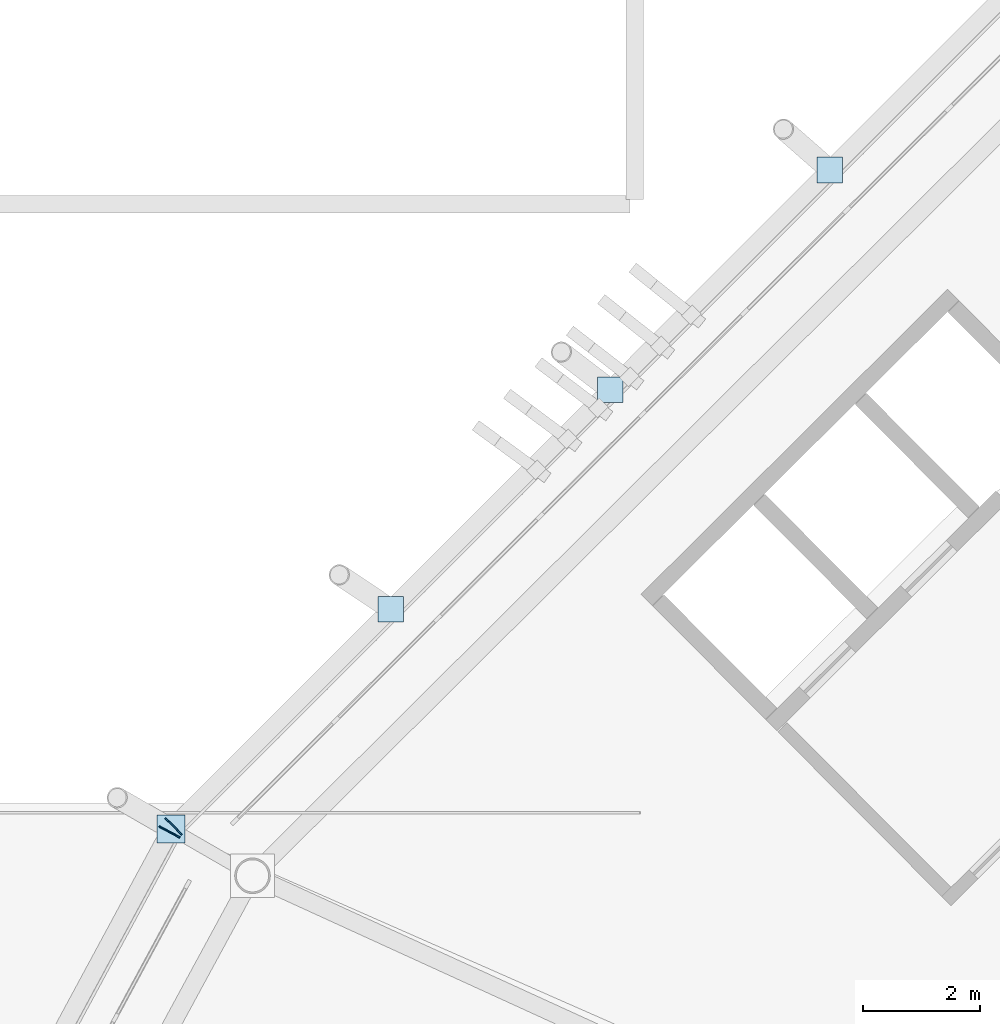
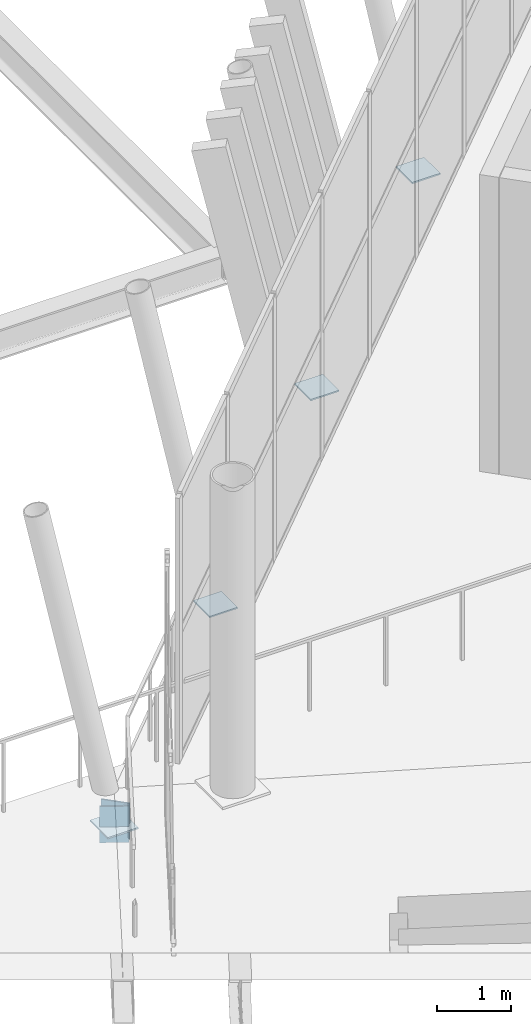
# One storey, part 108 of 178: 6 plates.
"""IFC4 building model written with IfcOpenShell, lengths in metres."""

from ifc_helpers import new_model, si_unit, direction, frame, origin, origin_2d, place, context, subcontext, project, spatial, rectangle, extrude, material, layer, layer_set, type_object, element, save


model = new_model("IFC4")

# Units and contexts
model_context = context("Model", 3, precision=1e-05, world=origin(), true_north=direction((0.0, 1.0)))
body_context = subcontext(model_context, "Body", "Model", "MODEL_VIEW")
ifc_project = project(units=[si_unit("LENGTHUNIT", "METRE"), si_unit("AREAUNIT", "SQUARE_METRE"), si_unit("VOLUMEUNIT", "CUBIC_METRE"), si_unit("PLANEANGLEUNIT", "RADIAN"), si_unit("MASSUNIT", "GRAM", prefix="KILO")], contexts=[model_context])

# Site, building, storey
site_placement = place(None, origin())
site = spatial("IfcSite", under=ifc_project, at=site_placement, CompositionType="ELEMENT")
building_placement = place(site_placement, origin())
building = spatial("IfcBuilding", under=site, at=building_placement, Name="Zlatoyarsky Gate Stadium", CompositionType="ELEMENT")
storey_placement = place(building_placement, frame((0.0, 0.0, 5.39990234375)))
storey = spatial("IfcBuildingStorey", under=building, at=storey_placement, Name="L01", CompositionType="ELEMENT", Elevation=5.39990234375)

# Plates
ifc_material = material(Name="Steel S355", Category="steel")
ifc_layer = layer(ifc_material, 0.02392578125)
ifc_layer_set = layer_set([ifc_layer], Name="Steel S355")
plate_type = type_object("IfcPlateType", Name="STEEL HOLLOW CHORD SPLICE SHEET 24", PredefinedType="SHEET", material=ifc_layer_set)
for number, where, z_axis, x_axis, name in (
    (1, (29.10888671875, 116.3466796875, -0.849853515625), (0.0, 0.0, 1.0), (-0.707043292995, -0.707170263678, 0.0), "Hollow end cap ND-SP1 CAP-L01-SPD-09 B"),
    (2, (29.0380859375, 116.25146484375, -0.849853515625), (0.0, 0.0, 1.0), (-0.474957557599, -0.880008703639, 0.0), "Hollow end cap ND-SP1 CAP-L01-SPD-10 A"),
):
    element("IfcPlate", number, at=place(storey_placement, frame(where, z_axis=z_axis, x_axis=x_axis)), inside=storey, type_object=plate_type, Name=name, PredefinedType="SHEET", context=body_context, shape_type="SweptSolid", body=[
        extrude(rectangle(XDim=0.02392578125, YDim=0.39990234375, at=origin_2d()), origin(), (0.0, 0.0, 1.0), 0.60009765625),
    ])
plate_placement = place(storey_placement, frame((29.066650390625, 116.30419921875, -0.61181640625), z_axis=(0.0, 0.0, 1.0), x_axis=(1.0, 0.0, 0.0)))
element("IfcPlate", 3, at=plate_placement, inside=storey, type_object=plate_type, Name="Node closure plate ND-SP1 NCAP-L01-RSTR-10", PredefinedType="SHEET", context=body_context, shape_type="SweptSolid", body=[
    extrude(rectangle(XDim=0.47998046875, YDim=0.47998046875, at=origin_2d()), origin(), (0.0, 0.0, 1.0), 0.02392578125),
])
for number, where, z_axis, x_axis, name in (
    (4, (40.343017578125, 127.58251953125, -0.561767578125), (0.0, 0.0, 1.0), (1.0, 0.0, 0.0), "Node closure plate ND-SP1 NCAP-RIB-09-1-0B"),
    (5, (36.584228515625, 123.822998046875, -0.561767578125), (0.0, 0.0, 1.0), (1.0, 0.0, 0.0), "Node closure plate ND-SP1 NCAP-RIB-09-2-0B"),
    (6, (32.825439453125, 120.063720703125, -0.561767578125), (0.0, 0.0, 1.0), (1.0, 0.0, 0.0), "Node closure plate ND-SP1 NCAP-RIB-09-3-0B"),
):
    element("IfcPlate", number, at=place(storey_placement, frame(where, z_axis=z_axis, x_axis=x_axis)), inside=storey, type_object=plate_type, Name=name, PredefinedType="SHEET", context=body_context, shape_type="SweptSolid", body=[
        extrude(rectangle(XDim=0.43994140625, YDim=0.43994140625, at=origin_2d()), origin(), (0.0, 0.0, 1.0), 0.02392578125),
    ])

save(model, "model.ifc")
